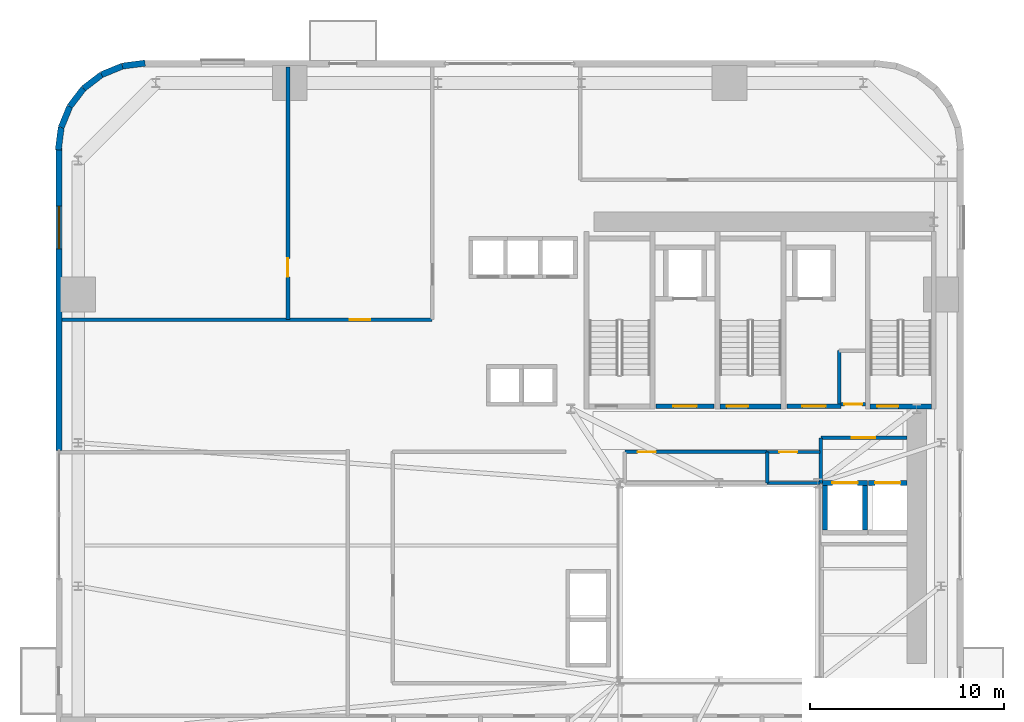
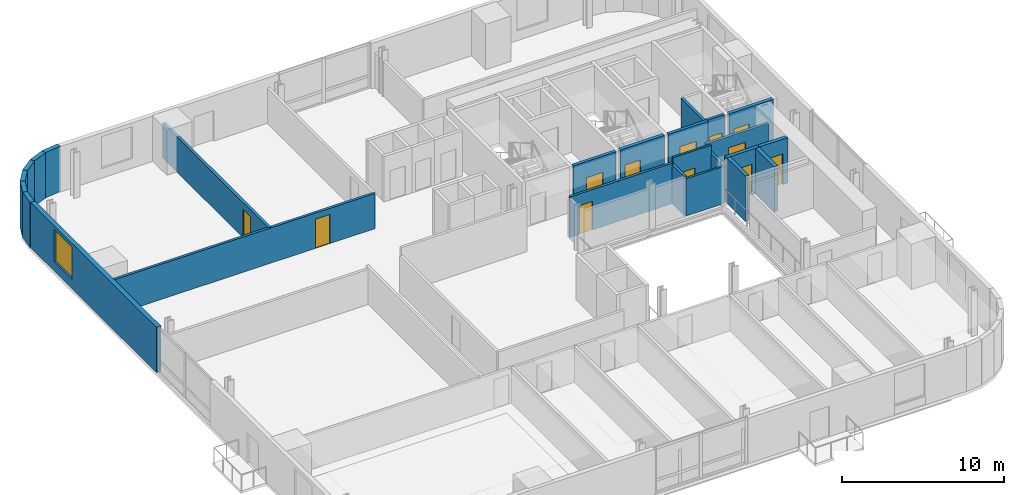
# One storey, part 7 of 13: 25 walls, 12 doors, 1 window, 13 openings.
"""IFC4 building model written with IfcOpenShell, lengths in metres."""

from ifc_helpers import new_model, si_unit, direction, frame, frame_2d, origin, place, context, subcontext, project, spatial, rectangle, extrude, source, transform, mapped, material, layer, layer_set, type_object, element, fill, save


model = new_model("IFC4")

# Units and contexts
model_context = context("Model", 3, precision=1e-05, world=origin(), true_north=direction((0.0, 1.0)))
body_context = subcontext(model_context, "Body", "Model", "MODEL_VIEW")
ifc_project = project(units=[si_unit("LENGTHUNIT", "METRE"), si_unit("AREAUNIT", "SQUARE_METRE"), si_unit("VOLUMEUNIT", "CUBIC_METRE"), si_unit("PLANEANGLEUNIT", "RADIAN"), si_unit("MASSUNIT", "GRAM", prefix="KILO")], contexts=[model_context])

# Site, building, storey
site_placement = place(None, origin())
site = spatial("IfcSite", under=ifc_project, at=site_placement, CompositionType="ELEMENT")
building_placement = place(site_placement, origin())
building = spatial("IfcBuilding", under=site, at=building_placement, Name="Vardaveli Station Tower", CompositionType="ELEMENT")
storey_placement = place(building_placement, frame((0.0, 0.0, 82.35009765625)))
storey = spatial("IfcBuildingStorey", under=building, at=storey_placement, Name="L21", CompositionType="ELEMENT", Elevation=82.35009765625)

# Wall, opening, window
ifc_material_1 = material(Name="Precast concrete C45/55", Category="concrete")
ifc_layer_1 = layer(ifc_material_1, 0.320068359375, Name="Precast concrete C45/55")
ifc_layer_set_1 = layer_set([ifc_layer_1], Name="Precast concrete C45/55")
wall_type_1 = type_object("IfcWallType", Name="WAL-EXT-STONE-320", PredefinedType="SOLIDWALL", material=ifc_layer_set_1)
shared_shape_1 = source(origin(), body_context, "Body", "SweptSolid", [
    extrude(rectangle(XDim=15.60009765625, YDim=0.320068359375, at=frame_2d((7.800048828125, 0.0))), origin(), (0.0, 0.0, 1.0), 3.409912109375),
])
wall_1_placement = place(storey_placement, frame((2.260009765625, 44.10009765625, 0.0), z_axis=(0.0, 0.0, 1.0), x_axis=(0.0, -1.0, 0.0)))
wall_1 = element("IfcWall", 1, at=wall_1_placement, inside=storey, type_object=wall_type_1, Name="EW-L21-W1", PredefinedType="SOLIDWALL", context=body_context, shape_type="MappedRepresentation", body=[
    mapped(shared_shape_1, transform((0.0, 0.0, 0.0), scale=1.0)),
])
shared_shape_2 = source(origin(), body_context, "Body", "SweptSolid", [
    extrude(rectangle(XDim=2.199951171875, YDim=2.39990234375, at=frame_2d((1.10009765625, 1.199951171875))), frame((0.0, 0.169921875, 0.0), z_axis=(0.0, -1.0, 0.0), x_axis=(1.0, 0.0, 0.0)), (0.0, 0.0, 1.0), 0.340087890625),
])
opening_1_placement = place(wall_1_placement, frame((3.0048828125, 0.0, 0.719970703125)))
opening_1 = element("IfcOpeningElement", 2, at=opening_1_placement, cuts=wall_1, Name="Opening W-03", PredefinedType="OPENING", context=body_context, shape_type="MappedRepresentation", body=[
    mapped(shared_shape_2, transform((0.0, 0.0, 0.0), scale=1.0)),
])
ifc_material_2 = material(Name="Low-E solar-control glass", Category="glass")
window_type = type_object("IfcWindowType", Name="WIN-LOG-2200x2400", PartitioningType="SINGLE_PANEL", PredefinedType="WINDOW", material=ifc_material_2)
shared_shape_3 = source(origin(), body_context, "Body", "SweptSolid", [
    extrude(rectangle(XDim=2.199951171875, YDim=2.39990234375, at=frame_2d((1.10009765625, 1.199951171875))), frame((0.0, 0.030029296875, 0.0), z_axis=(0.0, -1.0, 0.0), x_axis=(1.0, 0.0, 0.0)), (0.0, 0.0, 1.0), 0.06005859375),
])
window_placement = place(opening_1_placement, origin())
window = element("IfcWindow", 3, at=window_placement, inside=storey, type_object=window_type, Name="WN-L21-W1", OverallHeight=2.39990234375, OverallWidth=2.199951171875, PartitioningType="SINGLE_PANEL", PredefinedType="WINDOW", context=body_context, shape_type="MappedRepresentation", body=[
    mapped(shared_shape_3, transform((0.0, 0.0, 0.0), scale=1.0)),
])
fill(opening_1, window)

# Walls
shared_shape_4 = source(origin(), body_context, "Body", "SweptSolid", [
    extrude(rectangle(XDim=1.1689453125, YDim=0.320068359375, at=frame_2d((0.58447265625, 0.0))), origin(), (0.0, 0.0, 1.0), 3.409912109375),
])
wall_2_placement = place(storey_placement, frame((3.53125, 47.1689453125, 0.0), z_axis=(0.0, 0.0, 1.0), x_axis=(-0.608387696831, -0.793639975269, 0.0)))
element("IfcWall", 4, at=wall_2_placement, inside=storey, type_object=wall_type_1, Name="EW-L21-CR4-4", PredefinedType="SOLIDWALL", context=body_context, shape_type="MappedRepresentation", body=[
    mapped(shared_shape_4, transform((0.0, 0.0, 0.0), scale=1.0)),
])
shared_shape_5 = source(origin(), body_context, "Body", "SweptSolid", [
    extrude(rectangle(XDim=1.168701171875, YDim=0.320068359375, at=frame_2d((0.58447265625, 0.0))), origin(), (0.0, 0.0, 1.0), 3.409912109375),
])
wall_3_placement = place(storey_placement, frame((4.458740234375, 47.8798828125, 0.0), z_axis=(0.0, 0.0, 1.0), x_axis=(-0.793663520347, -0.608356981114, 0.0)))
element("IfcWall", 5, at=wall_3_placement, inside=storey, type_object=wall_type_1, Name="EW-L21-CR4-3", PredefinedType="SOLIDWALL", context=body_context, shape_type="MappedRepresentation", body=[
    mapped(shared_shape_5, transform((0.0, 0.0, 0.0), scale=1.0)),
])
shared_shape_6 = source(origin(), body_context, "Body", "SweptSolid", [
    extrude(rectangle(XDim=1.17041015625, YDim=0.320068359375, at=frame_2d((0.585205078125, 0.0))), origin(), (0.0, 0.0, 1.0), 3.409912109375),
])
for number, where, z_axis, x_axis, name in (
    (6, (6.700439453125, 48.4755859375, 0.0), (0.0, 0.0, 1.0), (-0.991735963317, -0.128295670475, 0.0), "EW-L21-CR4-1"),
    (7, (2.37451171875, 45.16015625, 0.0), (0.0, 0.0, 1.0), (-0.128295670475, -0.991735963317, 0.0), "EW-L21-CR4-6"),
):
    element("IfcWall", number, at=place(storey_placement, frame(where, z_axis=z_axis, x_axis=x_axis)), inside=storey, type_object=wall_type_1, Name=name, PredefinedType="SOLIDWALL", context=body_context, shape_type="MappedRepresentation", body=[
        mapped(shared_shape_6, transform((0.0, 0.0, 0.0), scale=1.0)),
    ])
shared_shape_7 = source(origin(), body_context, "Body", "SweptSolid", [
    extrude(rectangle(XDim=1.169189453125, YDim=0.320068359375, at=frame_2d((0.58447265625, 0.0))), origin(), (0.0, 0.0, 1.0), 3.409912109375),
])
for number, where, z_axis, x_axis, name in (
    (8, (5.539794921875, 48.325439453125, 0.0), (0.0, 0.0, 1.0), (-0.924552646638, -0.381054331552, 0.0), "EW-L21-CR4-2"),
    (9, (2.820068359375, 46.2412109375, 0.0), (0.0, 0.0, 1.0), (-0.381054331552, -0.924552646638, 0.0), "EW-L21-CR4-5"),
):
    element("IfcWall", number, at=place(storey_placement, frame(where, z_axis=z_axis, x_axis=x_axis)), inside=storey, type_object=wall_type_1, Name=name, PredefinedType="SOLIDWALL", context=body_context, shape_type="MappedRepresentation", body=[
        mapped(shared_shape_7, transform((0.0, 0.0, 0.0), scale=1.0)),
    ])

# Wall, opening, door
ifc_material_3 = material(Name="Concrete C40/50", Category="concrete")
ifc_layer_2 = layer(ifc_material_3, 0.25, Name="Concrete C40/50")
ifc_layer_set_2 = layer_set([ifc_layer_2], Name="Concrete C40/50")
wall_type_2 = type_object("IfcWallType", Name="WAL-SHAFT-250", PredefinedType="SOLIDWALL", material=ifc_layer_set_2)
shared_shape_8 = source(origin(), body_context, "Body", "SweptSolid", [
    extrude(rectangle(XDim=3.14990234375, YDim=0.25, at=frame_2d((1.574951171875, 0.0))), origin(), (0.0, 0.0, 1.0), 3.449951171875),
])
wall_4_placement = place(storey_placement, frame((36.35009765625, 30.77490234375, 0.0), z_axis=(0.0, 0.0, 1.0), x_axis=(1.0, 0.0, 0.0)))
wall_4 = element("IfcWall", 10, at=wall_4_placement, inside=storey, type_object=wall_type_2, Name="W-L21-ST-2S", PredefinedType="SOLIDWALL", context=body_context, shape_type="MappedRepresentation", body=[
    mapped(shared_shape_8, transform((0.0, 0.0, 0.0), scale=1.0)),
])
shared_shape_9 = source(origin(), body_context, "Body", "SweptSolid", [
    extrude(rectangle(XDim=1.10009765625, YDim=2.199951171875, at=frame_2d((0.550048828125, 1.10009765625))), frame((0.0, 0.135009765625, 0.0), z_axis=(0.0, -1.0, 0.0), x_axis=(1.0, 0.0, 0.0)), (0.0, 0.0, 1.0), 0.27001953125),
])
opening_2_placement = place(wall_4_placement, frame((0.35009765625, 0.0, 0.0)))
opening_2 = element("IfcOpeningElement", 11, at=opening_2_placement, cuts=wall_4, Name="Opening D-04", PredefinedType="OPENING", context=body_context, shape_type="MappedRepresentation", body=[
    mapped(shared_shape_9, transform((0.0, 0.0, 0.0), scale=1.0)),
])
ifc_material_4 = material(Name="Steel smokeproof fire doorset", Category="steel")
door_type_1 = type_object("IfcDoorType", Name="DR-ST-1100x2200", OperationType="NOTDEFINED", PredefinedType="DOOR", material=ifc_material_4)
shared_shape_10 = source(origin(), body_context, "Body", "SweptSolid", [
    extrude(rectangle(XDim=1.10009765625, YDim=2.199951171875, at=frame_2d((0.550048828125, 1.10009765625))), frame((0.0, 0.02490234375, 0.0), z_axis=(0.0, -1.0, 0.0), x_axis=(1.0, 0.0, 0.0)), (0.0, 0.0, 1.0), 0.050048828125),
])
door_1_placement = place(opening_2_placement, origin())
door_1 = element("IfcDoor", 12, at=door_1_placement, inside=storey, type_object=door_type_1, Name="DST-2-L21", OperationType="SINGLE_SWING_LEFT", OverallHeight=2.199951171875, OverallWidth=1.10009765625, PredefinedType="DOOR", context=body_context, shape_type="MappedRepresentation", body=[
    mapped(shared_shape_10, transform((0.0, 0.0, 0.0), scale=1.0)),
])
fill(opening_2, door_1)

wall_5_placement = place(storey_placement, frame((44.10009765625, 30.77490234375, 0.0), z_axis=(0.0, 0.0, 1.0), x_axis=(1.0, 0.0, 0.0)))
wall_5 = element("IfcWall", 13, at=wall_5_placement, inside=storey, type_object=wall_type_2, Name="W-L21-ST-3S", PredefinedType="SOLIDWALL", context=body_context, shape_type="MappedRepresentation", body=[
    mapped(shared_shape_8, transform((0.0, 0.0, 0.0), scale=1.0)),
])
opening_3_placement = place(wall_5_placement, frame((0.35009765625, 0.0, 0.0)))
opening_3 = element("IfcOpeningElement", 14, at=opening_3_placement, cuts=wall_5, Name="Opening D-04", PredefinedType="OPENING", context=body_context, shape_type="MappedRepresentation", body=[
    mapped(shared_shape_9, transform((0.0, 0.0, 0.0), scale=1.0)),
])
door_2_placement = place(opening_3_placement, origin())
door_2 = element("IfcDoor", 15, at=door_2_placement, inside=storey, type_object=door_type_1, Name="DST-3-L21", OperationType="SINGLE_SWING_LEFT", OverallHeight=2.199951171875, OverallWidth=1.10009765625, PredefinedType="DOOR", context=body_context, shape_type="MappedRepresentation", body=[
    mapped(shared_shape_10, transform((0.0, 0.0, 0.0), scale=1.0)),
])
fill(opening_3, door_2)

ifc_layer_3 = layer(ifc_material_3, 0.219970703125, Name="Concrete C40/50")
ifc_layer_set_3 = layer_set([ifc_layer_3], Name="Concrete C40/50")
wall_type_3 = type_object("IfcWallType", Name="WAL-FFLOBBY-220", PredefinedType="SOLIDWALL", material=ifc_layer_set_3)
shared_shape_11 = source(origin(), body_context, "Body", "SweptSolid", [
    extrude(rectangle(XDim=3.0, YDim=0.219970703125, at=frame_2d((1.5, 0.0))), origin(), (0.0, 0.0, 1.0), 3.409912109375),
])
wall_6_placement = place(storey_placement, frame((33.050048828125, 30.780029296875, 0.0), z_axis=(0.0, 0.0, 1.0), x_axis=(1.0, 0.0, 0.0)))
wall_6 = element("IfcWall", 16, at=wall_6_placement, inside=storey, type_object=wall_type_3, Name="W-L21-FFL1S", PredefinedType="SOLIDWALL", context=body_context, shape_type="MappedRepresentation", body=[
    mapped(shared_shape_11, transform((0.0, 0.0, 0.0), scale=1.0)),
])
shared_shape_12 = source(origin(), body_context, "Body", "SweptSolid", [
    extrude(rectangle(XDim=1.199951171875, YDim=2.199951171875, at=frame_2d((0.60009765625, 1.10009765625))), frame((0.0, 0.1201171875, 0.0), z_axis=(0.0, -1.0, 0.0), x_axis=(1.0, 0.0, 0.0)), (0.0, 0.0, 1.0), 0.239990234375),
])
opening_4_placement = place(wall_6_placement, frame((0.89990234375, 0.0, 0.0)))
opening_4 = element("IfcOpeningElement", 17, at=opening_4_placement, cuts=wall_6, Name="Opening D-03", PredefinedType="OPENING", context=body_context, shape_type="MappedRepresentation", body=[
    mapped(shared_shape_12, transform((0.0, 0.0, 0.0), scale=1.0)),
])
door_type_2 = type_object("IfcDoorType", Name="DR-FFL-1200x2200", OperationType="NOTDEFINED", PredefinedType="DOOR", material=ifc_material_4)
shared_shape_13 = source(origin(), body_context, "Body", "SweptSolid", [
    extrude(rectangle(XDim=1.199951171875, YDim=2.199951171875, at=frame_2d((0.60009765625, 1.10009765625))), frame((0.0, 0.02490234375, 0.0), z_axis=(0.0, -1.0, 0.0), x_axis=(1.0, 0.0, 0.0)), (0.0, 0.0, 1.0), 0.050048828125),
])
door_3_placement = place(opening_4_placement, origin())
door_3 = element("IfcDoor", 18, at=door_3_placement, inside=storey, type_object=door_type_2, Name="DFFL1-L21", OperationType="SINGLE_SWING_LEFT", OverallHeight=2.199951171875, OverallWidth=1.199951171875, PredefinedType="DOOR", context=body_context, shape_type="MappedRepresentation", body=[
    mapped(shared_shape_13, transform((0.0, 0.0, 0.0), scale=1.0)),
])
fill(opening_4, door_3)

shared_shape_14 = source(origin(), body_context, "Body", "SweptSolid", [
    extrude(rectangle(XDim=2.800048828125, YDim=0.219970703125, at=frame_2d((1.39990234375, 0.0))), origin(), (0.0, 0.0, 1.0), 3.409912109375),
])
wall_7_placement = place(storey_placement, frame((39.800048828125, 30.780029296875, 0.0), z_axis=(0.0, 0.0, 1.0), x_axis=(1.0, 0.0, 0.0)))
wall_7 = element("IfcWall", 19, at=wall_7_placement, inside=storey, type_object=wall_type_3, Name="W-L21-FFL2S", PredefinedType="SOLIDWALL", context=body_context, shape_type="MappedRepresentation", body=[
    mapped(shared_shape_14, transform((0.0, 0.0, 0.0), scale=1.0)),
])
opening_5_placement = place(wall_7_placement, frame((0.800048828125, 0.0, 0.0)))
opening_5 = element("IfcOpeningElement", 20, at=opening_5_placement, cuts=wall_7, Name="Opening D-03", PredefinedType="OPENING", context=body_context, shape_type="MappedRepresentation", body=[
    mapped(shared_shape_12, transform((0.0, 0.0, 0.0), scale=1.0)),
])
door_4_placement = place(opening_5_placement, origin())
door_4 = element("IfcDoor", 21, at=door_4_placement, inside=storey, type_object=door_type_2, Name="DFFL2-L21", OperationType="SINGLE_SWING_RIGHT", OverallHeight=2.199951171875, OverallWidth=1.199951171875, PredefinedType="DOOR", context=body_context, shape_type="MappedRepresentation", body=[
    mapped(shared_shape_13, transform((0.0, 0.0, 0.0), scale=1.0)),
])
fill(opening_5, door_4)

shared_shape_15 = source(origin(), body_context, "Body", "SweptSolid", [
    extrude(rectangle(XDim=2.300048828125, YDim=0.25, at=frame_2d((1.14990234375, 0.0))), origin(), (0.0, 0.0, 1.0), 3.409912109375),
])
wall_8_placement = place(storey_placement, frame((41.64990234375, 26.824951171875, 0.0), z_axis=(0.0, 0.0, 1.0), x_axis=(1.0, 0.0, 0.0)))
wall_8 = element("IfcWall", 22, at=wall_8_placement, inside=storey, type_object=wall_type_2, Name="SHW-SRV-01-L21-N", PredefinedType="SOLIDWALL", context=body_context, shape_type="MappedRepresentation", body=[
    mapped(shared_shape_15, transform((0.0, 0.0, 0.0), scale=1.0)),
])
shared_shape_16 = source(origin(), body_context, "Body", "SweptSolid", [
    extrude(rectangle(XDim=1.300048828125, YDim=2.300048828125, at=frame_2d((0.64990234375, 1.14990234375))), frame((0.0, 0.135009765625, 0.0), z_axis=(0.0, -1.0, 0.0), x_axis=(1.0, 0.0, 0.0)), (0.0, 0.0, 1.0), 0.27001953125),
])
opening_6_placement = place(wall_8_placement, frame((0.5, 0.0, 0.0)))
opening_6 = element("IfcOpeningElement", 23, at=opening_6_placement, cuts=wall_8, Name="Opening LD-03", PredefinedType="OPENING", context=body_context, shape_type="MappedRepresentation", body=[
    mapped(shared_shape_16, transform((0.0, 0.0, 0.0), scale=1.0)),
])
ifc_material_5 = material(Name="Brushed stainless steel", Category="steel")
door_type_3 = type_object("IfcDoorType", Name="DR-LD-1300x2300", OperationType="DOUBLE_DOOR_SLIDING", PredefinedType="DOOR", material=ifc_material_5)
shared_shape_17 = source(origin(), body_context, "Body", "SweptSolid", [
    extrude(rectangle(XDim=1.300048828125, YDim=2.300048828125, at=frame_2d((0.64990234375, 1.14990234375))), frame((0.0, 0.02490234375, 0.0), z_axis=(0.0, -1.0, 0.0), x_axis=(1.0, 0.0, 0.0)), (0.0, 0.0, 1.0), 0.050048828125),
])
door_5_placement = place(opening_6_placement, origin())
door_5 = element("IfcDoor", 24, at=door_5_placement, inside=storey, type_object=door_type_3, Name="LD-SRV-01-L21", OperationType="DOUBLE_DOOR_SLIDING", OverallHeight=2.300048828125, OverallWidth=1.300048828125, PredefinedType="DOOR", context=body_context, shape_type="MappedRepresentation", body=[
    mapped(shared_shape_17, transform((0.0, 0.0, 0.0), scale=1.0)),
])
fill(opening_6, door_5)

# Walls
for number, where, z_axis, x_axis, name in (
    (25, (41.77490234375, 24.39990234375, 0.0), (0.0, 0.0, 1.0), (0.0, 1.0, 0.0), "SHW-SRV-01-L21-W"),
    (26, (43.824951171875, 24.39990234375, 0.0), (0.0, 0.0, 1.0), (0.0, 1.0, 0.0), "SHW-SRV-01-L21-E"),
):
    element("IfcWall", number, at=place(storey_placement, frame(where, z_axis=z_axis, x_axis=x_axis)), inside=storey, type_object=wall_type_2, Name=name, PredefinedType="SOLIDWALL", context=body_context, shape_type="MappedRepresentation", body=[
        mapped(shared_shape_15, transform((0.0, 0.0, 0.0), scale=1.0)),
    ])

# Wall, opening, door
shared_shape_18 = source(origin(), body_context, "Body", "SweptSolid", [
    extrude(rectangle(XDim=2.0, YDim=0.25, at=frame_2d((1.0, 0.0))), origin(), (0.0, 0.0, 1.0), 3.409912109375),
])
wall_9_placement = place(storey_placement, frame((44.0, 26.824951171875, 0.0), z_axis=(0.0, 0.0, 1.0), x_axis=(1.0, 0.0, 0.0)))
wall_9 = element("IfcWall", 27, at=wall_9_placement, inside=storey, type_object=wall_type_2, Name="SHW-SRV-02-L21-N", PredefinedType="SOLIDWALL", context=body_context, shape_type="MappedRepresentation", body=[
    mapped(shared_shape_18, transform((0.0, 0.0, 0.0), scale=1.0)),
])
opening_7_placement = place(wall_9_placement, frame((0.35009765625, 0.0, 0.0)))
opening_7 = element("IfcOpeningElement", 28, at=opening_7_placement, cuts=wall_9, Name="Opening LD-03", PredefinedType="OPENING", context=body_context, shape_type="MappedRepresentation", body=[
    mapped(shared_shape_16, transform((0.0, 0.0, 0.0), scale=1.0)),
])
door_6_placement = place(opening_7_placement, origin())
door_6 = element("IfcDoor", 29, at=door_6_placement, inside=storey, type_object=door_type_3, Name="LD-SRV-02-L21", OperationType="DOUBLE_DOOR_SLIDING", OverallHeight=2.300048828125, OverallWidth=1.300048828125, PredefinedType="DOOR", context=body_context, shape_type="MappedRepresentation", body=[
    mapped(shared_shape_17, transform((0.0, 0.0, 0.0), scale=1.0)),
])
fill(opening_7, door_6)

ifc_material_6 = material(Name="Fire-rated gypsum stud partition")
ifc_layer_4 = layer(ifc_material_6, 0.179931640625, Name="Fire-rated gypsum stud partition")
ifc_layer_set_4 = layer_set([ifc_layer_4], Name="Fire-rated gypsum stud partition")
wall_type_4 = type_object("IfcWallType", Name="WAL-CORR-180", PredefinedType="PARTITIONING", material=ifc_layer_set_4)
shared_shape_19 = source(origin(), body_context, "Body", "SweptSolid", [
    extrude(rectangle(XDim=19.077880859375, YDim=0.179931640625, at=frame_2d((9.5390625, 0.0))), origin(), (0.0, 0.0, 1.0), 2.65185546875),
])
wall_10_placement = place(storey_placement, frame((2.422119140625, 35.25, 0.0), z_axis=(0.0, 0.0, 1.0), x_axis=(1.0, 0.0, 0.0)))
wall_10 = element("IfcWall", 30, at=wall_10_placement, inside=storey, type_object=wall_type_4, Name="W-L21-CNWS", PredefinedType="PARTITIONING", context=body_context, shape_type="MappedRepresentation", body=[
    mapped(shared_shape_19, transform((0.0, 0.0, 0.0), scale=1.0)),
])
shared_shape_20 = source(origin(), body_context, "Body", "SweptSolid", [
    extrude(rectangle(XDim=1.050048828125, YDim=2.199951171875, at=frame_2d((0.52490234375, 1.10009765625))), frame((0.0, 0.10009765625, 0.0), z_axis=(0.0, -1.0, 0.0), x_axis=(1.0, 0.0, 0.0)), (0.0, 0.0, 1.0), 0.199951171875),
])
opening_8_placement = place(wall_10_placement, frame((14.84326171875, 0.0, 0.0)))
opening_8 = element("IfcOpeningElement", 31, at=opening_8_placement, cuts=wall_10, Name="Opening D-05", PredefinedType="OPENING", context=body_context, shape_type="MappedRepresentation", body=[
    mapped(shared_shape_20, transform((0.0, 0.0, 0.0), scale=1.0)),
])
ifc_material_7 = material(Name="Walnut veneer acoustic fire door")
door_type_4 = type_object("IfcDoorType", Name="DR-SUITE-1050x2200", OperationType="NOTDEFINED", PredefinedType="DOOR", material=ifc_material_7)
shared_shape_21 = source(origin(), body_context, "Body", "SweptSolid", [
    extrude(rectangle(XDim=1.050048828125, YDim=2.199951171875, at=frame_2d((0.52490234375, 1.10009765625))), frame((0.0, 0.02490234375, 0.0), z_axis=(0.0, -1.0, 0.0), x_axis=(1.0, 0.0, 0.0)), (0.0, 0.0, 1.0), 0.050048828125),
])
door_7_placement = place(opening_8_placement, origin())
door_7 = element("IfcDoor", 32, at=door_7_placement, inside=storey, type_object=door_type_4, Name="D-L21-GNW2", OperationType="SINGLE_SWING_RIGHT", OverallHeight=2.199951171875, OverallWidth=1.050048828125, PredefinedType="DOOR", context=body_context, shape_type="MappedRepresentation", body=[
    mapped(shared_shape_21, transform((0.0, 0.0, 0.0), scale=1.0)),
])
fill(opening_8, door_7)

shared_shape_22 = source(origin(), body_context, "Body", "SweptSolid", [
    extrude(rectangle(XDim=7.330078125, YDim=0.179931640625, at=frame_2d((3.6650390625, 0.0))), origin(), (0.0, 0.0, 1.0), 3.0419921875),
])
wall_11_placement = place(storey_placement, frame((31.449951171875, 28.419921875, 0.0), z_axis=(0.0, 0.0, 1.0), x_axis=(1.0, 0.0, 0.0)))
wall_11 = element("IfcWall", 33, at=wall_11_placement, inside=storey, type_object=wall_type_4, Name="W-L21-HKP0-N", PredefinedType="PARTITIONING", context=body_context, shape_type="MappedRepresentation", body=[
    mapped(shared_shape_22, transform((0.0, 0.0, 0.0), scale=1.0)),
])
shared_shape_23 = source(origin(), body_context, "Body", "SweptSolid", [
    extrude(rectangle(XDim=0.949951171875, YDim=2.14990234375, at=frame_2d((0.47509765625, 1.074951171875))), frame((0.0, 0.10009765625, 0.0), z_axis=(0.0, -1.0, 0.0), x_axis=(1.0, 0.0, 0.0)), (0.0, 0.0, 1.0), 0.199951171875),
])
opening_9_placement = place(wall_11_placement, frame((0.64990234375, 0.0, 0.0)))
opening_9 = element("IfcOpeningElement", 34, at=opening_9_placement, cuts=wall_11, Name="Opening D-06", PredefinedType="OPENING", context=body_context, shape_type="MappedRepresentation", body=[
    mapped(shared_shape_23, transform((0.0, 0.0, 0.0), scale=1.0)),
])
ifc_material_8 = material(Name="Oak veneer acoustic fire door")
door_type_5 = type_object("IfcDoorType", Name="DR-GUEST-950x2150", OperationType="NOTDEFINED", PredefinedType="DOOR", material=ifc_material_8)
shared_shape_24 = source(origin(), body_context, "Body", "SweptSolid", [
    extrude(rectangle(XDim=0.949951171875, YDim=2.14990234375, at=frame_2d((0.47509765625, 1.074951171875))), frame((0.0, 0.02490234375, 0.0), z_axis=(0.0, -1.0, 0.0), x_axis=(1.0, 0.0, 0.0)), (0.0, 0.0, 1.0), 0.050048828125),
])
door_8_placement = place(opening_9_placement, origin())
door_8 = element("IfcDoor", 35, at=door_8_placement, inside=storey, type_object=door_type_5, Name="D-L21-HKP", OperationType="SINGLE_SWING_RIGHT", OverallHeight=2.14990234375, OverallWidth=0.949951171875, PredefinedType="DOOR", context=body_context, shape_type="MappedRepresentation", body=[
    mapped(shared_shape_24, transform((0.0, 0.0, 0.0), scale=1.0)),
])
fill(opening_9, door_8)

shared_shape_25 = source(origin(), body_context, "Body", "SweptSolid", [
    extrude(rectangle(XDim=4.447998046875, YDim=0.179931640625, at=frame_2d((2.22412109375, 0.0))), origin(), (0.0, 0.0, 1.0), 3.0419921875),
])
wall_12_placement = place(storey_placement, frame((41.550048828125, 29.14990234375, 0.0), z_axis=(0.0, 0.0, 1.0), x_axis=(1.0, 0.0, 0.0)))
wall_12 = element("IfcWall", 36, at=wall_12_placement, inside=storey, type_object=wall_type_4, Name="W-L21-SVFN", PredefinedType="PARTITIONING", context=body_context, shape_type="MappedRepresentation", body=[
    mapped(shared_shape_25, transform((0.0, 0.0, 0.0), scale=1.0)),
])
shared_shape_26 = source(origin(), body_context, "Body", "SweptSolid", [
    extrude(rectangle(XDim=1.199951171875, YDim=2.199951171875, at=frame_2d((0.60009765625, 1.10009765625))), frame((0.0, 0.10009765625, 0.0), z_axis=(0.0, -1.0, 0.0), x_axis=(1.0, 0.0, 0.0)), (0.0, 0.0, 1.0), 0.199951171875),
])
opening_10_placement = place(wall_12_placement, frame((1.60009765625, 0.0, 0.0)))
opening_10 = element("IfcOpeningElement", 37, at=opening_10_placement, cuts=wall_12, Name="Opening D-03", PredefinedType="OPENING", context=body_context, shape_type="MappedRepresentation", body=[
    mapped(shared_shape_26, transform((0.0, 0.0, 0.0), scale=1.0)),
])
door_9_placement = place(opening_10_placement, origin())
door_9 = element("IfcDoor", 38, at=door_9_placement, inside=storey, type_object=door_type_2, Name="D-L21-SVF", OperationType="SINGLE_SWING_LEFT", OverallHeight=2.199951171875, OverallWidth=1.199951171875, PredefinedType="DOOR", context=body_context, shape_type="MappedRepresentation", body=[
    mapped(shared_shape_13, transform((0.0, 0.0, 0.0), scale=1.0)),
])
fill(opening_10, door_9)

ifc_material_9 = material(Name="Moisture-resistant stud partition")
ifc_layer_5 = layer(ifc_material_9, 0.14990234375, Name="Moisture-resistant stud partition")
ifc_layer_set_5 = layer_set([ifc_layer_5], Name="Moisture-resistant stud partition")
wall_type_5 = type_object("IfcWallType", Name="WAL-WET-150", PredefinedType="PARTITIONING", material=ifc_layer_set_5)
shared_shape_27 = source(origin(), body_context, "Body", "SweptSolid", [
    extrude(rectangle(XDim=2.739990234375, YDim=0.14990234375, at=frame_2d((1.3701171875, 0.0))), origin(), (0.0, 0.0, 1.0), 3.409912109375),
])
wall_13_placement = place(storey_placement, frame((38.780029296875, 28.419921875, 0.0), z_axis=(0.0, 0.0, 1.0), x_axis=(1.0, 0.0, 0.0)))
wall_13 = element("IfcWall", 39, at=wall_13_placement, inside=storey, type_object=wall_type_5, Name="W-L21-WCA0-N", PredefinedType="PARTITIONING", context=body_context, shape_type="MappedRepresentation", body=[
    mapped(shared_shape_27, transform((0.0, 0.0, 0.0), scale=1.0)),
])
shared_shape_28 = source(origin(), body_context, "Body", "SweptSolid", [
    extrude(rectangle(XDim=0.919921875, YDim=2.10009765625, at=frame_2d((0.4599609375, 1.050048828125))), frame((0.0, 0.0849609375, 0.0), z_axis=(0.0, -1.0, 0.0), x_axis=(1.0, 0.0, 0.0)), (0.0, 0.0, 1.0), 0.169921875),
])
opening_11_placement = place(wall_13_placement, frame((0.6298828125, 0.0, 0.0)))
opening_11 = element("IfcOpeningElement", 40, at=opening_11_placement, cuts=wall_13, Name="Opening D-07", PredefinedType="OPENING", context=body_context, shape_type="MappedRepresentation", body=[
    mapped(shared_shape_28, transform((0.0, 0.0, 0.0), scale=1.0)),
])
ifc_material_10 = material(Name="Moisture-resistant hardwood door", Category="wood")
door_type_6 = type_object("IfcDoorType", Name="DR-WC-920x2100", OperationType="NOTDEFINED", PredefinedType="DOOR", material=ifc_material_10)
shared_shape_29 = source(origin(), body_context, "Body", "SweptSolid", [
    extrude(rectangle(XDim=0.919921875, YDim=2.10009765625, at=frame_2d((0.4599609375, 1.050048828125))), frame((0.0, 0.02490234375, 0.0), z_axis=(0.0, -1.0, 0.0), x_axis=(1.0, 0.0, 0.0)), (0.0, 0.0, 1.0), 0.050048828125),
])
door_10_placement = place(opening_11_placement, origin())
door_10 = element("IfcDoor", 41, at=door_10_placement, inside=storey, type_object=door_type_6, Name="D-L21-WCA", OperationType="SINGLE_SWING_LEFT", OverallHeight=2.10009765625, OverallWidth=0.919921875, PredefinedType="DOOR", context=body_context, shape_type="MappedRepresentation", body=[
    mapped(shared_shape_29, transform((0.0, 0.0, 0.0), scale=1.0)),
])
fill(opening_11, door_10)

shared_shape_30 = source(origin(), body_context, "Body", "SweptSolid", [
    extrude(rectangle(XDim=1.247802734375, YDim=0.179931640625, at=frame_2d((0.6240234375, 0.0))), origin(), (0.0, 0.0, 1.0), 3.409912109375),
])
wall_14_placement = place(storey_placement, frame((42.60009765625, 30.8798828125, 0.0), z_axis=(0.0, 0.0, 1.0), x_axis=(1.0, 0.0, 0.0)))
wall_14 = element("IfcWall", 42, at=wall_14_placement, inside=storey, type_object=wall_type_4, Name="W-L21-CBS0-S", PredefinedType="PARTITIONING", context=body_context, shape_type="MappedRepresentation", body=[
    mapped(shared_shape_30, transform((0.0, 0.0, 0.0), scale=1.0)),
])
shared_shape_31 = source(origin(), body_context, "Body", "SweptSolid", [
    extrude(rectangle(XDim=0.919921875, YDim=2.10009765625, at=frame_2d((0.4599609375, 1.050048828125))), frame((0.0, 0.10009765625, 0.0), z_axis=(0.0, -1.0, 0.0), x_axis=(1.0, 0.0, 0.0)), (0.0, 0.0, 1.0), 0.199951171875),
])
opening_12_placement = place(wall_14_placement, frame((0.1640625, 0.0, 0.0)))
opening_12 = element("IfcOpeningElement", 43, at=opening_12_placement, cuts=wall_14, Name="Opening D-07", PredefinedType="OPENING", context=body_context, shape_type="MappedRepresentation", body=[
    mapped(shared_shape_31, transform((0.0, 0.0, 0.0), scale=1.0)),
])
door_11_placement = place(opening_12_placement, origin())
door_11 = element("IfcDoor", 44, at=door_11_placement, inside=storey, type_object=door_type_6, Name="D-L21-CBS0", OperationType="SINGLE_SWING_LEFT", OverallHeight=2.10009765625, OverallWidth=0.919921875, PredefinedType="DOOR", context=body_context, shape_type="MappedRepresentation", body=[
    mapped(shared_shape_29, transform((0.0, 0.0, 0.0), scale=1.0)),
])
fill(opening_12, door_11)

# Walls
shared_shape_32 = source(origin(), body_context, "Body", "SweptSolid", [
    extrude(rectangle(XDim=2.7578125, YDim=0.179931640625, at=frame_2d((1.37890625, 0.0))), origin(), (0.0, 0.0, 1.0), 3.409912109375),
])
wall_15_placement = place(storey_placement, frame((42.5, 30.89208984375, 0.0), z_axis=(0.0, 0.0, 1.0), x_axis=(0.0, 1.0, 0.0)))
element("IfcWall", 45, at=wall_15_placement, inside=storey, type_object=wall_type_4, Name="W-L21-CBS0-W", PredefinedType="PARTITIONING", context=body_context, shape_type="MappedRepresentation", body=[
    mapped(shared_shape_32, transform((0.0, 0.0, 0.0), scale=1.0)),
])
shared_shape_33 = source(origin(), body_context, "Body", "SweptSolid", [
    extrude(rectangle(XDim=2.739990234375, YDim=0.14990234375, at=frame_2d((1.3701171875, 0.0))), origin(), (0.0, 0.0, 1.0), 2.802001953125),
])
wall_16_placement = place(storey_placement, frame((38.780029296875, 26.820068359375, 0.0), z_axis=(0.0, 0.0, 1.0), x_axis=(1.0, 0.0, 0.0)))
element("IfcWall", 46, at=wall_16_placement, inside=storey, type_object=wall_type_5, Name="W-L21-WCA0-S", PredefinedType="PARTITIONING", context=body_context, shape_type="MappedRepresentation", body=[
    mapped(shared_shape_33, transform((0.0, 0.0, 0.0), scale=1.0)),
])
shared_shape_34 = source(origin(), body_context, "Body", "SweptSolid", [
    extrude(rectangle(XDim=2.349853515625, YDim=0.179931640625, at=frame_2d((1.1748046875, 0.0))), origin(), (0.0, 0.0, 1.0), 2.802001953125),
])
wall_17_placement = place(storey_placement, frame((41.550048828125, 26.800048828125, 0.0), z_axis=(0.0, 0.0, 1.0), x_axis=(0.0, 1.0, 0.0)))
element("IfcWall", 47, at=wall_17_placement, inside=storey, type_object=wall_type_4, Name="W-L21-SVFW", PredefinedType="PARTITIONING", context=body_context, shape_type="MappedRepresentation", body=[
    mapped(shared_shape_34, transform((0.0, 0.0, 0.0), scale=1.0)),
])
shared_shape_35 = source(origin(), body_context, "Body", "SweptSolid", [
    extrude(rectangle(XDim=1.599853515625, YDim=0.179931640625, at=frame_2d((0.7998046875, 0.0))), origin(), (0.0, 0.0, 1.0), 2.951904296875),
])
wall_18_placement = place(storey_placement, frame((38.780029296875, 26.820068359375, 0.0), z_axis=(0.0, 0.0, 1.0), x_axis=(0.0, 1.0, 0.0)))
element("IfcWall", 48, at=wall_18_placement, inside=storey, type_object=wall_type_4, Name="W-L21-HKP0-E", PredefinedType="PARTITIONING", context=body_context, shape_type="MappedRepresentation", body=[
    mapped(shared_shape_35, transform((0.0, 0.0, 0.0), scale=1.0)),
])

# Wall, opening, door
ifc_material_11 = material(Name="Acoustic twin-stud gypsum partition")
ifc_layer_6 = layer(ifc_material_11, 0.199951171875, Name="Acoustic twin-stud gypsum partition")
ifc_layer_set_6 = layer_set([ifc_layer_6], Name="Acoustic twin-stud gypsum partition")
wall_type_6 = type_object("IfcWallType", Name="WAL-PARTY-200", PredefinedType="PARTITIONING", material=ifc_layer_set_6)
shared_shape_36 = source(origin(), body_context, "Body", "SweptSolid", [
    extrude(rectangle(XDim=13.028076171875, YDim=0.199951171875, at=frame_2d((6.51416015625, 0.0))), origin(), (0.0, 0.0, 1.0), 2.65185546875),
])
wall_19_placement = place(storey_placement, frame((14.070068359375, 35.25, 0.0), z_axis=(0.0, 0.0, 1.0), x_axis=(0.0, 1.0, 0.0)))
wall_19 = element("IfcWall", 49, at=wall_19_placement, inside=storey, type_object=wall_type_6, Name="W-L21-PNW1", PredefinedType="PARTITIONING", context=body_context, shape_type="MappedRepresentation", body=[
    mapped(shared_shape_36, transform((0.0, 0.0, 0.0), scale=1.0)),
])
shared_shape_37 = source(origin(), body_context, "Body", "SweptSolid", [
    extrude(rectangle(XDim=0.949951171875, YDim=2.14990234375, at=frame_2d((0.47509765625, 1.074951171875))), frame((0.0, 0.10986328125, 0.0), z_axis=(0.0, -1.0, 0.0), x_axis=(1.0, 0.0, 0.0)), (0.0, 0.0, 1.0), 0.219970703125),
])
opening_13_placement = place(wall_19_placement, frame((2.199951171875, 0.0, 0.0)))
opening_13 = element("IfcOpeningElement", 50, at=opening_13_placement, cuts=wall_19, Name="Opening D-11", PredefinedType="OPENING", context=body_context, shape_type="MappedRepresentation", body=[
    mapped(shared_shape_37, transform((0.0, 0.0, 0.0), scale=1.0)),
])
ifc_material_12 = material(Name="Oak veneer internal suite door")
door_type_7 = type_object("IfcDoorType", Name="DR-INT-950x2150", OperationType="NOTDEFINED", PredefinedType="DOOR", material=ifc_material_12)
door_12_placement = place(opening_13_placement, origin())
door_12 = element("IfcDoor", 51, at=door_12_placement, inside=storey, type_object=door_type_7, Name="D-L21-GNW1", OperationType="SINGLE_SWING_LEFT", OverallHeight=2.14990234375, OverallWidth=0.949951171875, PredefinedType="DOOR", context=body_context, shape_type="MappedRepresentation", body=[
    mapped(shared_shape_24, transform((0.0, 0.0, 0.0), scale=1.0)),
])
fill(opening_13, door_12)

save(model, "model.ifc")
